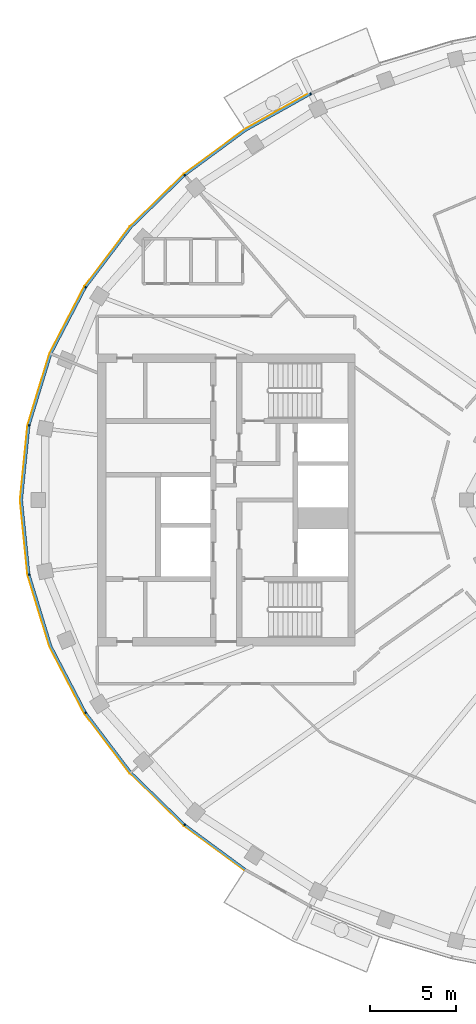
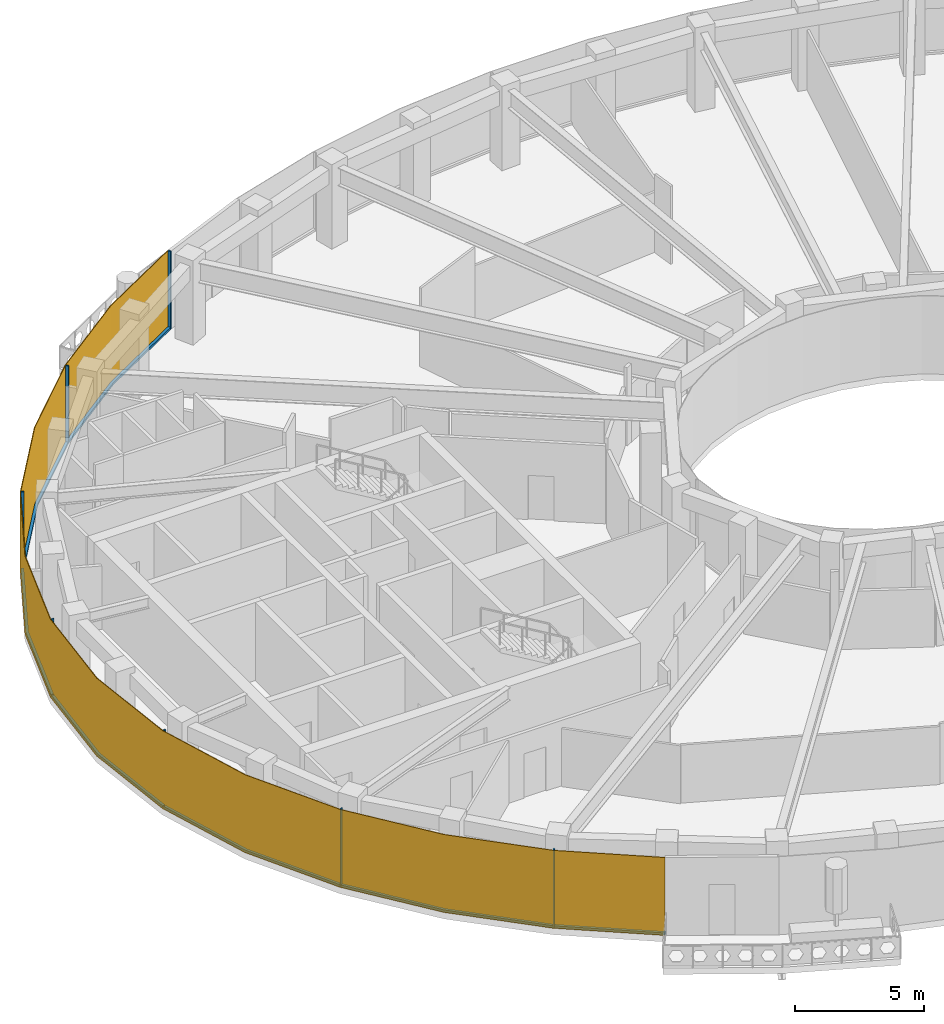
# One storey, part 11 of 18: 14 members, 1 curtain wall.
"""IFC4 building model written with IfcOpenShell, lengths in metres."""

from ifc_helpers import new_model, si_unit, direction, frame, origin, origin_2d, place, context, subcontext, project, spatial, polyline, rectangle, outline, extrude, material, layer, layer_set, material_profile, profile_set, type_object, element, aggregate, save


model = new_model("IFC4")

# Units and contexts
model_context = context("Model", 3, precision=1e-05, world=origin(), true_north=direction((0.0, 1.0)))
body_context = subcontext(model_context, "Body", "Model", "MODEL_VIEW")
ifc_project = project(units=[si_unit("LENGTHUNIT", "METRE"), si_unit("AREAUNIT", "SQUARE_METRE"), si_unit("VOLUMEUNIT", "CUBIC_METRE"), si_unit("PLANEANGLEUNIT", "RADIAN"), si_unit("MASSUNIT", "GRAM", prefix="KILO")], contexts=[model_context])

# Member
ifc_material_1 = material(Name="Aluminium 6063-T6 black anodised", Category="aluminium")
ifc_material_profile = material_profile(ifc_material_1, rectangle(XDim=0.1201171875, YDim=0.06005859375, at=origin_2d()), Name="120x60")
ifc_profile_set = profile_set([ifc_material_profile], Name="Aluminium 6063-T6 black anodised")
member_type_1 = type_object("IfcMemberType", Name="ENV-MULLION-A-120", PredefinedType="MULLION", material=ifc_profile_set)
site_placement = place(None, origin())
building_placement = place(site_placement, origin())
storey_placement = place(building_placement, frame((0.0, 0.0, 319.0)))
member_1_placement = place(storey_placement, frame((-19.06787109375, 23.6474609375, 0.0), z_axis=(0.0, 0.0, 1.0), x_axis=(0.439237769837, -0.898370848563, 0.0)))
member_1 = element("IfcMember", 1, at=member_1_placement, type_object=member_type_1, Name="Mullion A radial 17", PredefinedType="MULLION", context=body_context, shape_type="SweptSolid", body=[
    extrude(rectangle(XDim=0.1201171875, YDim=0.06005859375, at=origin_2d()), origin(), (0.0, 0.0, 1.0), 3.699951171875),
])

member_2_placement = place(storey_placement, frame((-26.403564453125, 18.9130859375, 0.0), z_axis=(0.0, 0.0, 1.0), x_axis=(0.646451313783, -0.762955240435, 0.0)))
member_2 = element("IfcMember", 2, at=member_2_placement, type_object=member_type_1, Name="Mullion A radial 19", PredefinedType="MULLION", context=body_context, shape_type="SweptSolid", body=[
    extrude(rectangle(XDim=0.1201171875, YDim=0.06005859375, at=origin_2d()), origin(), (0.0, 0.0, 1.0), 3.699951171875),
])

member_3_placement = place(storey_placement, frame((-32.177490234375, 12.385498046875, 0.0), z_axis=(0.0, 0.0, 1.0), x_axis=(0.844829880882, -0.53503501976, 0.0)))
member_3 = element("IfcMember", 3, at=member_3_placement, type_object=member_type_1, Name="Mullion A radial 21", PredefinedType="MULLION", context=body_context, shape_type="SweptSolid", body=[
    extrude(rectangle(XDim=0.1201171875, YDim=0.06005859375, at=origin_2d()), origin(), (0.0, 0.0, 1.0), 3.699951171875),
])

member_4_placement = place(storey_placement, frame((-35.470947265625, 4.340576171875, 0.0), z_axis=(0.0, 0.0, 1.0), x_axis=(0.980379083141, -0.19712141776, 0.0)))
member_4 = element("IfcMember", 4, at=member_4_placement, type_object=member_type_1, Name="Mullion A radial 23", PredefinedType="MULLION", context=body_context, shape_type="SweptSolid", body=[
    extrude(rectangle(XDim=0.1201171875, YDim=0.06005859375, at=origin_2d()), origin(), (0.0, 0.0, 1.0), 3.699951171875),
])

member_5_placement = place(storey_placement, frame((-35.470947265625, -4.340576171875, 0.0), z_axis=(0.0, 0.0, 1.0), x_axis=(0.980379083141, 0.19712141776, 0.0)))
member_5 = element("IfcMember", 5, at=member_5_placement, type_object=member_type_1, Name="Mullion A radial 25", PredefinedType="MULLION", context=body_context, shape_type="SweptSolid", body=[
    extrude(rectangle(XDim=0.1201171875, YDim=0.06005859375, at=origin_2d()), origin(), (0.0, 0.0, 1.0), 3.699951171875),
])

member_6_placement = place(storey_placement, frame((-32.177490234375, -12.385498046875, 0.0), z_axis=(0.0, 0.0, 1.0), x_axis=(0.844829880882, 0.53503501976, 0.0)))
member_6 = element("IfcMember", 6, at=member_6_placement, type_object=member_type_1, Name="Mullion A radial 27", PredefinedType="MULLION", context=body_context, shape_type="SweptSolid", body=[
    extrude(rectangle(XDim=0.1201171875, YDim=0.06005859375, at=origin_2d()), origin(), (0.0, 0.0, 1.0), 3.699951171875),
])

member_7_placement = place(storey_placement, frame((-26.403564453125, -18.9130859375, 0.0), z_axis=(0.0, 0.0, 1.0), x_axis=(0.646451313783, 0.762955240435, 0.0)))
member_7 = element("IfcMember", 7, at=member_7_placement, type_object=member_type_1, Name="Mullion A radial 29", PredefinedType="MULLION", context=body_context, shape_type="SweptSolid", body=[
    extrude(rectangle(XDim=0.1201171875, YDim=0.06005859375, at=origin_2d()), origin(), (0.0, 0.0, 1.0), 3.699951171875),
])

ifc_material_2 = material(Name="Aluminium 6063-T6 black anodised", Category="aluminium")
member_type_2 = type_object("IfcMemberType", Name="ENV-TRANSOM-A", PredefinedType="USERDEFINED", material=ifc_material_2)
member_8_placement = place(storey_placement, origin())
member_8 = element("IfcMember", 8, at=member_8_placement, type_object=member_type_2, Name="Transom A radial 17-19", ObjectType="TRANSOM", PredefinedType="USERDEFINED", context=body_context, shape_type="SweptSolid", body=[
    extrude(outline(polyline([(-19.11865234375, 23.687744140625), (-22.9150390625, 21.556884765625), (-26.419921875, 18.975341796875), (-26.342041015625, 18.883544921875), (-22.85009765625, 21.455810546875), (-19.06591796875, 23.57958984375), (-19.11865234375, 23.687744140625)])), origin(), (0.0, 0.0, 1.0), 0.10009765625),
])

member_9_placement = place(storey_placement, origin())
member_9 = element("IfcMember", 9, at=member_9_placement, type_object=member_type_2, Name="Transom A radial 19-21", ObjectType="TRANSOM", PredefinedType="USERDEFINED", context=body_context, shape_type="SweptSolid", body=[
    extrude(outline(polyline([(-26.46240234375, 18.939208984375), (-29.58349609375, 15.906982421875), (-32.211181640625, 12.43994140625), (-32.109375, 12.37548828125), (-29.493408203125, 15.8271484375), (-26.384765625, 18.847412109375), (-26.46240234375, 18.939208984375)])), origin(), (0.0, 0.0, 1.0), 0.10009765625),
])

member_10_placement = place(storey_placement, origin())
member_10 = element("IfcMember", 10, at=member_10_placement, type_object=member_type_2, Name="Transom A radial 21-23", ObjectType="TRANSOM", PredefinedType="USERDEFINED", context=body_context, shape_type="SweptSolid", body=[
    extrude(outline(polyline([(-32.240966796875, 12.392578125), (-34.251220703125, 8.53662109375), (-35.521484375, 4.379150390625), (-35.4033203125, 4.355224609375), (-34.139892578125, 8.490966796875), (-32.139404296875, 12.328369140625), (-32.240966796875, 12.392578125)])), origin(), (0.0, 0.0, 1.0), 0.10009765625),
])

member_11_placement = place(storey_placement, origin())
member_11 = element("IfcMember", 11, at=member_11_placement, type_object=member_type_2, Name="Transom A radial 23-25", ObjectType="TRANSOM", PredefinedType="USERDEFINED", context=body_context, shape_type="SweptSolid", body=[
    extrude(outline(polyline([(-35.532470703125, 4.324462890625), (-35.9677734375, 0.0), (-35.532470703125, -4.324462890625), (-35.414306640625, -4.30078125), (-35.84716796875, 0.0), (-35.414306640625, 4.30078125), (-35.532470703125, 4.324462890625)])), origin(), (0.0, 0.0, 1.0), 0.10009765625),
])

member_12_placement = place(storey_placement, origin())
member_12 = element("IfcMember", 12, at=member_12_placement, type_object=member_type_2, Name="Transom A radial 25-27", ObjectType="TRANSOM", PredefinedType="USERDEFINED", context=body_context, shape_type="SweptSolid", body=[
    extrude(outline(polyline([(-35.521484375, -4.379150390625), (-34.251220703125, -8.53662109375), (-32.240966796875, -12.392578125), (-32.139404296875, -12.328369140625), (-34.139892578125, -8.490966796875), (-35.4033203125, -4.355224609375), (-35.521484375, -4.379150390625)])), origin(), (0.0, 0.0, 1.0), 0.10009765625),
])

member_13_placement = place(storey_placement, origin())
member_13 = element("IfcMember", 13, at=member_13_placement, type_object=member_type_2, Name="Transom A radial 27-29", ObjectType="TRANSOM", PredefinedType="USERDEFINED", context=body_context, shape_type="SweptSolid", body=[
    extrude(outline(polyline([(-32.211181640625, -12.43994140625), (-29.58349609375, -15.906982421875), (-26.46240234375, -18.939208984375), (-26.384765625, -18.847412109375), (-29.493408203125, -15.8271484375), (-32.109375, -12.37548828125), (-32.211181640625, -12.43994140625)])), origin(), (0.0, 0.0, 1.0), 0.10009765625),
])

member_14_placement = place(storey_placement, origin())
member_14 = element("IfcMember", 14, at=member_14_placement, type_object=member_type_2, Name="Transom A radial 29-30", ObjectType="TRANSOM", PredefinedType="USERDEFINED", context=body_context, shape_type="SweptSolid", body=[
    extrude(outline(polyline([(-26.419921875, -18.975341796875), (-22.931396484375, -21.544921875), (-22.8662109375, -21.444091796875), (-26.342041015625, -18.883544921875), (-26.419921875, -18.975341796875)])), origin(), (0.0, 0.0, 1.0), 0.10009765625),
])

# Site, building, storey
site = spatial("IfcSite", under=ifc_project, at=site_placement, CompositionType="ELEMENT")
building = spatial("IfcBuilding", under=site, at=building_placement, Name="Noorbagh Ring Tower", CompositionType="ELEMENT")
storey = spatial("IfcBuildingStorey", under=building, at=storey_placement, Name="L69", CompositionType="ELEMENT", Elevation=319.0)

# Curtain wall
ifc_material_3 = material(Name="Glass dark tinted laminated", Category="glass")
ifc_layer = layer(ifc_material_3, 0.031982421875)
ifc_layer_set = layer_set([ifc_layer], Name="Glass dark tinted laminated")
curtain_wall_type = type_object("IfcCurtainWallType", Name="ENV-CW-A", PredefinedType="NOTDEFINED", material=ifc_layer_set)
curtain_wall_placement = place(storey_placement, origin())
curtain_wall = element("IfcCurtainWall", 15, at=curtain_wall_placement, inside=storey, type_object=curtain_wall_type, Name="Curtain wall A R17", PredefinedType="NOTDEFINED", context=body_context, shape_type="SweptSolid", body=[
    extrude(outline(polyline([(-19.125732421875, 23.720458984375), (-22.9326171875, 21.583740234375), (-26.463134765625, 18.9833984375), (-29.607666015625, 15.927978515625), (-32.255126953125, 12.434814453125), (-34.281005859375, 8.548828125), (-35.561279296875, 4.358642578125), (-36.0, 0.0), (-35.561279296875, -4.358642578125), (-34.281005859375, -8.548828125), (-32.255126953125, -12.434814453125), (-29.607666015625, -15.927978515625), (-26.463134765625, -18.9833984375), (-22.948486328125, -21.572021484375), (-22.931396484375, -21.544921875), (-26.4423828125, -18.958740234375), (-29.58349609375, -15.906982421875), (-32.22802734375, -12.41748046875), (-34.251220703125, -8.53662109375), (-35.529541015625, -4.352294921875), (-35.9677734375, 0.0), (-35.529541015625, 4.352294921875), (-34.251220703125, 8.53662109375), (-32.22802734375, 12.41748046875), (-29.58349609375, 15.906982421875), (-26.4423828125, 18.958740234375), (-22.9150390625, 21.556884765625), (-19.111572265625, 23.691650390625), (-19.125732421875, 23.720458984375)])), origin(), (0.0, 0.0, 1.0), 3.699951171875),
])

aggregate(curtain_wall, [member_1, member_2, member_3, member_4, member_5, member_6, member_7, member_8, member_9, member_10, member_11, member_12, member_13, member_14])

save(model, "model.ifc")
